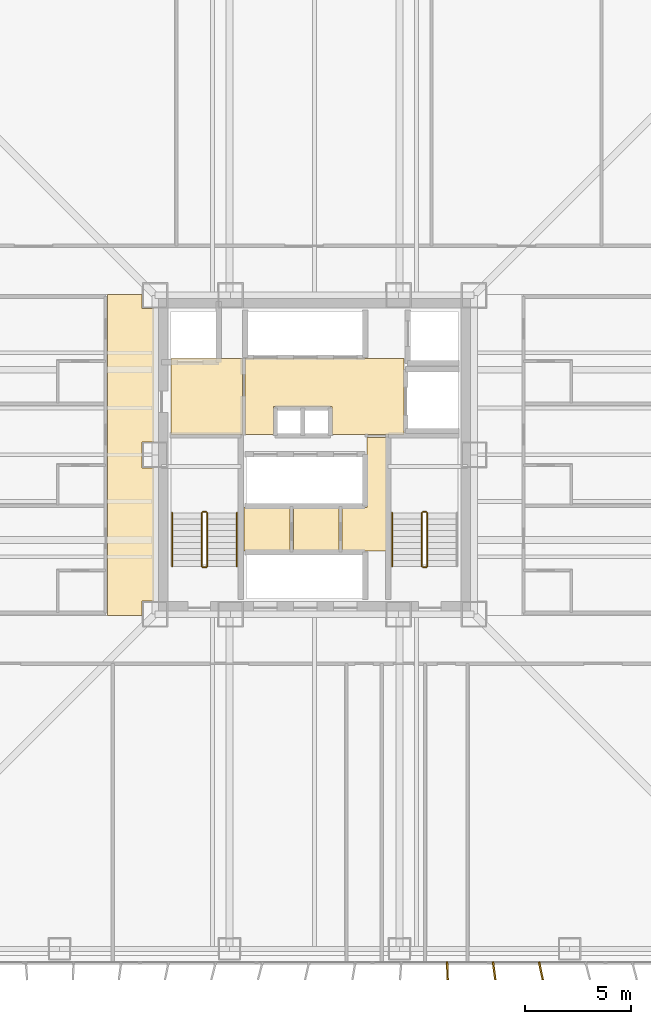
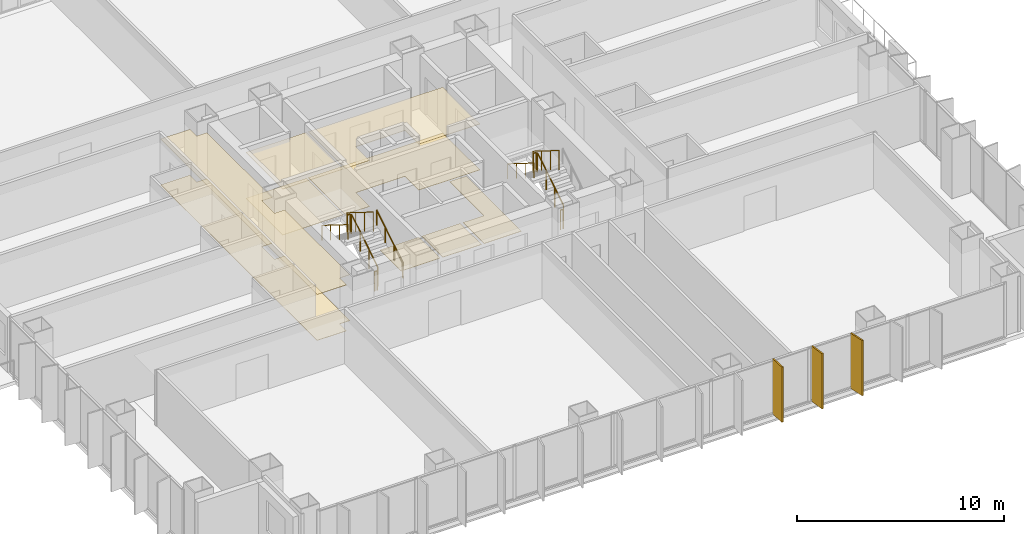
# One storey, part 15 of 16: 11 railings, 9 coverings, 3 shading devices.
"""IFC4 building model written with IfcOpenShell, lengths in metres."""

from ifc_helpers import new_model, si_unit, direction, frame, origin, origin_2d, place, context, subcontext, project, spatial, polyline, rectangle, circle, outline, extrude, material, layer, layer_set, type_object, element, save


model = new_model("IFC4")

# Units and contexts
model_context = context("Model", 3, precision=1e-05, world=origin(), true_north=direction((0.0, 1.0)))
body_context = subcontext(model_context, "Body", "Model", "MODEL_VIEW")
ifc_project = project(units=[si_unit("LENGTHUNIT", "METRE"), si_unit("AREAUNIT", "SQUARE_METRE"), si_unit("VOLUMEUNIT", "CUBIC_METRE"), si_unit("PLANEANGLEUNIT", "RADIAN"), si_unit("MASSUNIT", "GRAM", prefix="KILO")], contexts=[model_context])

# Site, building, storey
site_placement = place(None, origin())
site = spatial("IfcSite", under=ifc_project, at=site_placement, CompositionType="ELEMENT")
building_placement = place(site_placement, origin())
building = spatial("IfcBuilding", under=site, at=building_placement, Name="Trevonay Congress Spire", CompositionType="ELEMENT")
storey_placement = place(building_placement, frame((0.0, 0.0, 48.0)))
storey = spatial("IfcBuildingStorey", under=building, at=storey_placement, Name="L11", CompositionType="ELEMENT", Elevation=48.0)

# Coverings
ifc_material_1 = material(Name="Acoustic Mineral Fibre Board", Category="gypsum")
ifc_layer_1 = layer(ifc_material_1, 0.02490234375, Name="Acoustic Mineral Fibre Board")
ifc_layer_set_1 = layer_set([ifc_layer_1], Name="Acoustic Mineral Fibre Board")
covering_type_1 = type_object("IfcCoveringType", Name="COV-CEIL-ACOUSTIC", PredefinedType="CEILING", material=ifc_layer_set_1)
covering_1_placement = place(storey_placement, frame((0.0, 0.0, 2.699951171875)))
element("IfcCovering", 1, at=covering_1_placement, inside=storey, type_object=covering_type_1, Name="L11 Firefighting Lift Lobby West acoustic suspended ceiling", PredefinedType="CEILING", context=body_context, shape_type="SweptSolid", body=[
    extrude(outline(polyline([(-6.75, 0.9599609375), (-3.3798828125, 0.9599609375), (-3.3798828125, 4.52001953125), (-6.75, 4.52001953125), (-6.75, 0.9599609375)])), origin(), (0.0, 0.0, 1.0), 0.025146484375),
])
covering_2_placement = place(storey_placement, frame((0.0, 0.0, 2.699951171875)))
element("IfcCovering", 2, at=covering_2_placement, inside=storey, type_object=covering_type_1, Name="L11 Central and High-Rise Passenger Lift Lobby acoustic suspended ceiling", PredefinedType="CEILING", context=body_context, shape_type="SweptSolid", body=[
    extrude(outline(polyline([(-3.280029296875, 0.949951171875), (-1.919921875, 0.949951171875), (-1.919921875, 2.280029296875), (0.820068359375, 2.280029296875), (0.820068359375, 0.949951171875), (4.219970703125, 0.949951171875), (4.219970703125, 4.52001953125), (-3.280029296875, 4.52001953125), (-3.280029296875, 0.949951171875)])), origin(), (0.0, 0.0, 1.0), 0.025146484375),
])
covering_3_placement = place(storey_placement, frame((0.0, 0.0, 2.699951171875)))
element("IfcCovering", 3, at=covering_3_placement, inside=storey, type_object=covering_type_1, Name="L11 Hotel Floor Corridor West acoustic suspended ceiling", PredefinedType="CEILING", context=body_context, shape_type="SweptSolid", body=[
    extrude(outline(polyline([(-9.75, 7.550048828125), (-8.110107421875, 7.550048828125), (-8.110107421875, 6.889892578125), (-7.550048828125, 6.889892578125), (-7.550048828125, 0.610107421875), (-8.110107421875, 0.610107421875), (-8.110107421875, -0.610107421875), (-7.550048828125, -0.610107421875), (-7.550048828125, -6.889892578125), (-8.110107421875, -6.889892578125), (-8.110107421875, -7.550048828125), (-9.75, -7.550048828125), (-9.75, 7.550048828125)])), origin(), (0.0, 0.0, 1.0), 0.025146484375),
])
ifc_material_2 = material(Name="Polished Granite Floor Tile", Category="masonry")
ifc_layer_2 = layer(ifc_material_2, 0.02001953125, Name="Polished Granite Floor Tile")
ifc_layer_set_2 = layer_set([ifc_layer_2], Name="Polished Granite Floor Tile")
covering_type_2 = type_object("IfcCoveringType", Name="COV-FLOOR-STONE", PredefinedType="FLOORING", material=ifc_layer_set_2)
covering_4_placement = place(storey_placement, origin())
element("IfcCovering", 4, at=covering_4_placement, inside=storey, type_object=covering_type_2, Name="L11 Firefighting Lift Lobby West floor finish", PredefinedType="FLOORING", context=body_context, shape_type="SweptSolid", body=[
    extrude(outline(polyline([(-6.75, 0.9599609375), (-3.3798828125, 0.9599609375), (-3.3798828125, 4.52001953125), (-6.75, 4.52001953125), (-6.75, 0.9599609375)])), origin(), (0.0, 0.0, 1.0), 0.02001953125),
])
covering_5_placement = place(storey_placement, origin())
element("IfcCovering", 5, at=covering_5_placement, inside=storey, type_object=covering_type_2, Name="L11 Central and High-Rise Passenger Lift Lobby floor finish", PredefinedType="FLOORING", context=body_context, shape_type="SweptSolid", body=[
    extrude(outline(polyline([(-3.280029296875, 0.949951171875), (-1.919921875, 0.949951171875), (-1.919921875, 2.280029296875), (0.820068359375, 2.280029296875), (0.820068359375, 0.949951171875), (4.219970703125, 0.949951171875), (4.219970703125, 4.52001953125), (-3.280029296875, 4.52001953125), (-3.280029296875, 0.949951171875)])), origin(), (0.0, 0.0, 1.0), 0.02001953125),
])
covering_6_placement = place(storey_placement, origin())
element("IfcCovering", 6, at=covering_6_placement, inside=storey, type_object=covering_type_2, Name="L11 Floor IT Patch Room floor finish", PredefinedType="FLOORING", context=body_context, shape_type="SweptSolid", body=[
    extrude(outline(polyline([(-3.320068359375, -4.52001953125), (-1.14990234375, -4.52001953125), (-1.14990234375, -2.47998046875), (-3.320068359375, -2.47998046875), (-3.320068359375, -4.52001953125)])), origin(), (0.0, 0.0, 1.0), 0.02001953125),
])
covering_7_placement = place(storey_placement, origin())
element("IfcCovering", 7, at=covering_7_placement, inside=storey, type_object=covering_type_2, Name="L11 Janitor Store floor finish", PredefinedType="FLOORING", context=body_context, shape_type="SweptSolid", body=[
    extrude(outline(polyline([(-1.0, -4.52001953125), (1.14990234375, -4.52001953125), (1.14990234375, -2.47998046875), (-1.0, -2.47998046875), (-1.0, -4.52001953125)])), origin(), (0.0, 0.0, 1.0), 0.02001953125),
])
covering_8_placement = place(storey_placement, origin())
element("IfcCovering", 8, at=covering_8_placement, inside=storey, type_object=covering_type_2, Name="L11 Core Metering Room floor finish", PredefinedType="FLOORING", context=body_context, shape_type="SweptSolid", body=[
    extrude(outline(polyline([(1.300048828125, -4.52001953125), (3.3798828125, -4.52001953125), (3.3798828125, 0.820068359375), (2.4599609375, 0.820068359375), (2.4599609375, -2.47998046875), (1.300048828125, -2.47998046875), (1.300048828125, -4.52001953125)])), origin(), (0.0, 0.0, 1.0), 0.02001953125),
])
covering_9_placement = place(storey_placement, origin())
element("IfcCovering", 9, at=covering_9_placement, inside=storey, type_object=covering_type_2, Name="L11 Hotel Floor Corridor West floor finish", PredefinedType="FLOORING", context=body_context, shape_type="SweptSolid", body=[
    extrude(outline(polyline([(-9.75, 7.550048828125), (-8.110107421875, 7.550048828125), (-8.110107421875, 6.889892578125), (-7.550048828125, 6.889892578125), (-7.550048828125, 0.610107421875), (-8.110107421875, 0.610107421875), (-8.110107421875, -0.610107421875), (-7.550048828125, -0.610107421875), (-7.550048828125, -6.889892578125), (-8.110107421875, -6.889892578125), (-8.110107421875, -7.550048828125), (-9.75, -7.550048828125), (-9.75, 7.550048828125)])), origin(), (0.0, 0.0, 1.0), 0.02001953125),
])

# Railings
ifc_material_3 = material(Name="Pale Anodised Aluminium EN AW-6063-T6", Category="aluminium")
railing_type_1 = type_object("IfcRailingType", Name="RAL-STAIR-GUARD-110", PredefinedType="GUARDRAIL", material=ifc_material_3)
railing_1_placement = place(storey_placement, frame((-5.050048828125, -5.25, 0.175048828125)))
element("IfcRailing", 10, at=railing_1_placement, inside=storey, type_object=railing_type_1, Name="L11 ST-1 stair guard 1", PredefinedType="GUARDRAIL", context=body_context, shape_type="SweptSolid", body=[
    extrude(circle(Radius=0.02392578125, at=origin_2d()), frame((0.0, 0.0, 1.1259765625), z_axis=(0.0, 0.848007534815, 0.529984170421), x_axis=(-1.0, 0.0, 0.0)), (0.0, 0.0, 1.0), 2.9716796875),
    extrude(circle(Radius=0.02099609375, at=origin_2d()), origin(), (0.0, 0.0, 1.0), 1.101806640625),
    extrude(circle(Radius=0.02099609375, at=origin_2d()), frame((0.0, 0.840087890625, 0.52490234375)), (0.0, 0.0, 1.0), 1.101806640625),
    extrude(circle(Radius=0.02099609375, at=origin_2d()), frame((0.0, 1.679931640625, 1.050048828125)), (0.0, 0.0, 1.0), 1.101806640625),
    extrude(circle(Radius=0.02099609375, at=origin_2d()), frame((0.0, 2.52001953125, 1.574951171875)), (0.0, 0.0, 1.0), 1.101806640625),
])
railing_2_placement = place(storey_placement, frame((-5.10009765625, -2.679931640625, 1.75)))
element("IfcRailing", 11, at=railing_2_placement, inside=storey, type_object=railing_type_1, Name="L11 ST-1 stair guard 2", PredefinedType="GUARDRAIL", context=body_context, shape_type="SweptSolid", body=[
    extrude(circle(Radius=0.02392578125, at=origin_2d()), frame((0.0, 0.0, 1.1259765625), z_axis=(-1.0, 0.0, 0.0), x_axis=(0.0, -1.0, 0.0)), (0.0, 0.0, 1.0), 0.14990234375),
    extrude(circle(Radius=0.02099609375, at=origin_2d()), origin(), (0.0, 0.0, 1.0), 1.101806640625),
    extrude(circle(Radius=0.02099609375, at=origin_2d()), frame((-0.14990234375, 0.0, 0.0)), (0.0, 0.0, 1.0), 1.101806640625),
])
railing_3_placement = place(storey_placement, frame((-5.300048828125, -2.72998046875, 1.925048828125)))
element("IfcRailing", 12, at=railing_3_placement, inside=storey, type_object=railing_type_1, Name="L11 ST-1 stair guard 3", PredefinedType="GUARDRAIL", context=body_context, shape_type="SweptSolid", body=[
    extrude(circle(Radius=0.02392578125, at=origin_2d()), frame((0.0, 0.0, 1.1259765625), z_axis=(0.0, -0.848007534815, 0.529984170421), x_axis=(1.0, 0.0, 0.0)), (0.0, 0.0, 1.0), 2.9716796875),
    extrude(circle(Radius=0.02099609375, at=origin_2d()), origin(), (0.0, 0.0, 1.0), 1.101806640625),
    extrude(circle(Radius=0.02099609375, at=origin_2d()), frame((0.0, -0.840087890625, 0.52490234375)), (0.0, 0.0, 1.0), 1.101806640625),
    extrude(circle(Radius=0.02099609375, at=origin_2d()), frame((0.0, -1.679931640625, 1.050048828125)), (0.0, 0.0, 1.0), 1.101806640625),
    extrude(circle(Radius=0.02099609375, at=origin_2d()), frame((0.0, -2.52001953125, 1.574951171875)), (0.0, 0.0, 1.0), 1.101806640625),
])
railing_4_placement = place(storey_placement, frame((-5.10009765625, -5.300048828125, 0.0)))
element("IfcRailing", 13, at=railing_4_placement, inside=storey, type_object=railing_type_1, Name="L11 ST-1 stair guard 4", PredefinedType="GUARDRAIL", context=body_context, shape_type="SweptSolid", body=[
    extrude(circle(Radius=0.02392578125, at=origin_2d()), frame((0.0, 0.0, 1.1259765625), z_axis=(-1.0, 0.0, 0.0), x_axis=(0.0, -1.0, 0.0)), (0.0, 0.0, 1.0), 0.14990234375),
    extrude(circle(Radius=0.02099609375, at=origin_2d()), origin(), (0.0, 0.0, 1.0), 1.101806640625),
    extrude(circle(Radius=0.02099609375, at=origin_2d()), frame((-0.14990234375, 0.0, 0.0)), (0.0, 0.0, 1.0), 1.101806640625),
])
railing_5_placement = place(storey_placement, frame((5.300048828125, -5.25, 0.175048828125)))
element("IfcRailing", 14, at=railing_5_placement, inside=storey, type_object=railing_type_1, Name="L11 ST-2 stair guard 1", PredefinedType="GUARDRAIL", context=body_context, shape_type="SweptSolid", body=[
    extrude(circle(Radius=0.02392578125, at=origin_2d()), frame((0.0, 0.0, 1.1259765625), z_axis=(0.0, 0.848007534815, 0.529984170421), x_axis=(-1.0, 0.0, 0.0)), (0.0, 0.0, 1.0), 2.9716796875),
    extrude(circle(Radius=0.02099609375, at=origin_2d()), origin(), (0.0, 0.0, 1.0), 1.101806640625),
    extrude(circle(Radius=0.02099609375, at=origin_2d()), frame((0.0, 0.840087890625, 0.52490234375)), (0.0, 0.0, 1.0), 1.101806640625),
    extrude(circle(Radius=0.02099609375, at=origin_2d()), frame((0.0, 1.679931640625, 1.050048828125)), (0.0, 0.0, 1.0), 1.101806640625),
    extrude(circle(Radius=0.02099609375, at=origin_2d()), frame((0.0, 2.52001953125, 1.574951171875)), (0.0, 0.0, 1.0), 1.101806640625),
])
railing_6_placement = place(storey_placement, frame((5.25, -2.679931640625, 1.75)))
element("IfcRailing", 15, at=railing_6_placement, inside=storey, type_object=railing_type_1, Name="L11 ST-2 stair guard 2", PredefinedType="GUARDRAIL", context=body_context, shape_type="SweptSolid", body=[
    extrude(circle(Radius=0.02392578125, at=origin_2d()), frame((0.0, 0.0, 1.1259765625), z_axis=(-1.0, 0.0, 0.0), x_axis=(0.0, -1.0, 0.0)), (0.0, 0.0, 1.0), 0.14990234375),
    extrude(circle(Radius=0.02099609375, at=origin_2d()), origin(), (0.0, 0.0, 1.0), 1.101806640625),
    extrude(circle(Radius=0.02099609375, at=origin_2d()), frame((-0.14990234375, 0.0, 0.0)), (0.0, 0.0, 1.0), 1.101806640625),
])
railing_7_placement = place(storey_placement, frame((5.050048828125, -2.72998046875, 1.925048828125)))
element("IfcRailing", 16, at=railing_7_placement, inside=storey, type_object=railing_type_1, Name="L11 ST-2 stair guard 3", PredefinedType="GUARDRAIL", context=body_context, shape_type="SweptSolid", body=[
    extrude(circle(Radius=0.02392578125, at=origin_2d()), frame((0.0, 0.0, 1.1259765625), z_axis=(0.0, -0.848007534815, 0.529984170421), x_axis=(1.0, 0.0, 0.0)), (0.0, 0.0, 1.0), 2.9716796875),
    extrude(circle(Radius=0.02099609375, at=origin_2d()), origin(), (0.0, 0.0, 1.0), 1.101806640625),
    extrude(circle(Radius=0.02099609375, at=origin_2d()), frame((0.0, -0.840087890625, 0.52490234375)), (0.0, 0.0, 1.0), 1.101806640625),
    extrude(circle(Radius=0.02099609375, at=origin_2d()), frame((0.0, -1.679931640625, 1.050048828125)), (0.0, 0.0, 1.0), 1.101806640625),
    extrude(circle(Radius=0.02099609375, at=origin_2d()), frame((0.0, -2.52001953125, 1.574951171875)), (0.0, 0.0, 1.0), 1.101806640625),
])
railing_8_placement = place(storey_placement, frame((5.25, -5.300048828125, 0.0)))
element("IfcRailing", 17, at=railing_8_placement, inside=storey, type_object=railing_type_1, Name="L11 ST-2 stair guard 4", PredefinedType="GUARDRAIL", context=body_context, shape_type="SweptSolid", body=[
    extrude(circle(Radius=0.02392578125, at=origin_2d()), frame((0.0, 0.0, 1.1259765625), z_axis=(-1.0, 0.0, 0.0), x_axis=(0.0, -1.0, 0.0)), (0.0, 0.0, 1.0), 0.14990234375),
    extrude(circle(Radius=0.02099609375, at=origin_2d()), origin(), (0.0, 0.0, 1.0), 1.101806640625),
    extrude(circle(Radius=0.02099609375, at=origin_2d()), frame((-0.14990234375, 0.0, 0.0)), (0.0, 0.0, 1.0), 1.101806640625),
])
railing_type_2 = type_object("IfcRailingType", Name="RAL-STAIR-HANDRAIL", PredefinedType="HANDRAIL", material=ifc_material_3)
railing_9_placement = place(storey_placement, frame((-3.64990234375, -5.25, 0.175048828125)))
element("IfcRailing", 18, at=railing_9_placement, inside=storey, type_object=railing_type_2, Name="L11 ST-1 stair handrail 1", PredefinedType="HANDRAIL", context=body_context, shape_type="SweptSolid", body=[
    extrude(circle(Radius=0.02392578125, at=origin_2d()), frame((0.0, 0.0, 0.8759765625), z_axis=(0.0, 0.848007534815, 0.529984170421), x_axis=(-1.0, 0.0, 0.0)), (0.0, 0.0, 1.0), 2.9716796875),
    extrude(circle(Radius=0.02099609375, at=origin_2d()), origin(), (0.0, 0.0, 1.0), 0.851806640625),
    extrude(circle(Radius=0.02099609375, at=origin_2d()), frame((0.0, 0.840087890625, 0.52490234375)), (0.0, 0.0, 1.0), 0.851806640625),
    extrude(circle(Radius=0.02099609375, at=origin_2d()), frame((0.0, 1.679931640625, 1.050048828125)), (0.0, 0.0, 1.0), 0.851806640625),
    extrude(circle(Radius=0.02099609375, at=origin_2d()), frame((0.0, 2.52001953125, 1.574951171875)), (0.0, 0.0, 1.0), 0.851806640625),
])
for number, where, name in (
    (19, (-6.699951171875, -2.72998046875, 1.925048828125), "L11 ST-1 stair handrail 2"),
    (20, (3.64990234375, -2.72998046875, 1.925048828125), "L11 ST-2 stair handrail 2"),
):
    element("IfcRailing", number, at=place(storey_placement, frame(where)), inside=storey, type_object=railing_type_2, Name=name, PredefinedType="HANDRAIL", context=body_context, shape_type="SweptSolid", body=[
        extrude(circle(Radius=0.02392578125, at=origin_2d()), frame((0.0, 0.0, 0.8759765625), z_axis=(0.0, -0.848007534815, 0.529984170421), x_axis=(1.0, 0.0, 0.0)), (0.0, 0.0, 1.0), 2.9716796875),
        extrude(circle(Radius=0.02099609375, at=origin_2d()), origin(), (0.0, 0.0, 1.0), 0.851806640625),
        extrude(circle(Radius=0.02099609375, at=origin_2d()), frame((0.0, -0.840087890625, 0.52490234375)), (0.0, 0.0, 1.0), 0.851806640625),
        extrude(circle(Radius=0.02099609375, at=origin_2d()), frame((0.0, -1.679931640625, 1.050048828125)), (0.0, 0.0, 1.0), 0.851806640625),
        extrude(circle(Radius=0.02099609375, at=origin_2d()), frame((0.0, -2.52001953125, 1.574951171875)), (0.0, 0.0, 1.0), 0.851806640625),
    ])

# Shading devices
shading_device_type = type_object("IfcShadingDeviceType", Name="SHD-FIN-Z1-PALE-METAL", PredefinedType="USERDEFINED", material=ifc_material_3)
for number, where, z_axis, x_axis, name in (
    (21, (6.25, -24.280029296875, 0.0), (0.0, 0.0, 1.0), (0.999414947917, 0.034201781837, 0.0), "L11 S vertical pale-metal solar fin 12"),
    (22, (8.449951171875, -24.280029296875, 0.0), (0.0, 0.0, 1.0), (0.991444861374, 0.13052619222, 0.0), "L11 S vertical pale-metal solar fin 13"),
    (23, (10.64990234375, -24.280029296875, 0.0), (0.0, 0.0, 1.0), (0.978508985102, 0.206204185397, 0.0), "L11 S vertical pale-metal solar fin 14"),
):
    element("IfcShadingDevice", number, at=place(storey_placement, frame(where, z_axis=z_axis, x_axis=x_axis)), inside=storey, type_object=shading_device_type, Name=name, ObjectType="SOLAR FIN", PredefinedType="USERDEFINED", context=body_context, shape_type="SweptSolid", body=[
        extrude(rectangle(XDim=0.080078125, YDim=0.85009765625, at=origin_2d()), origin(), (0.0, 0.0, 1.0), 3.25),
    ])

save(model, "model.ifc")
